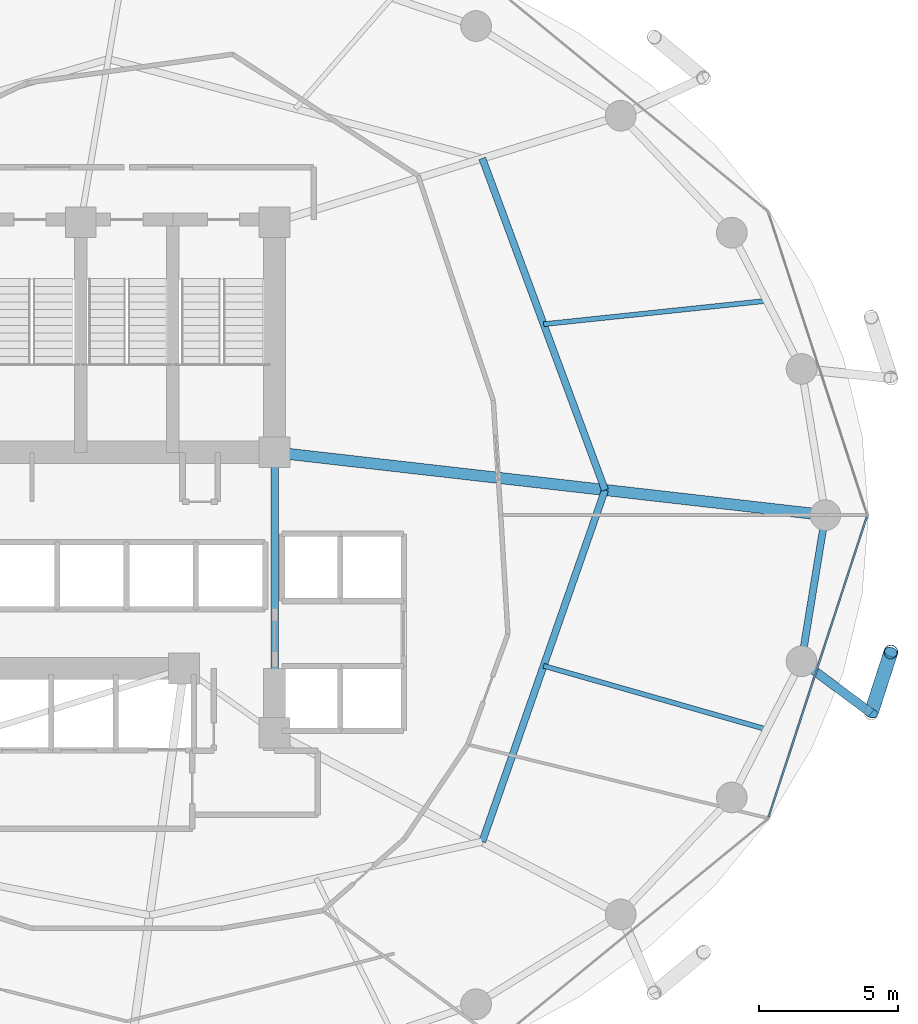
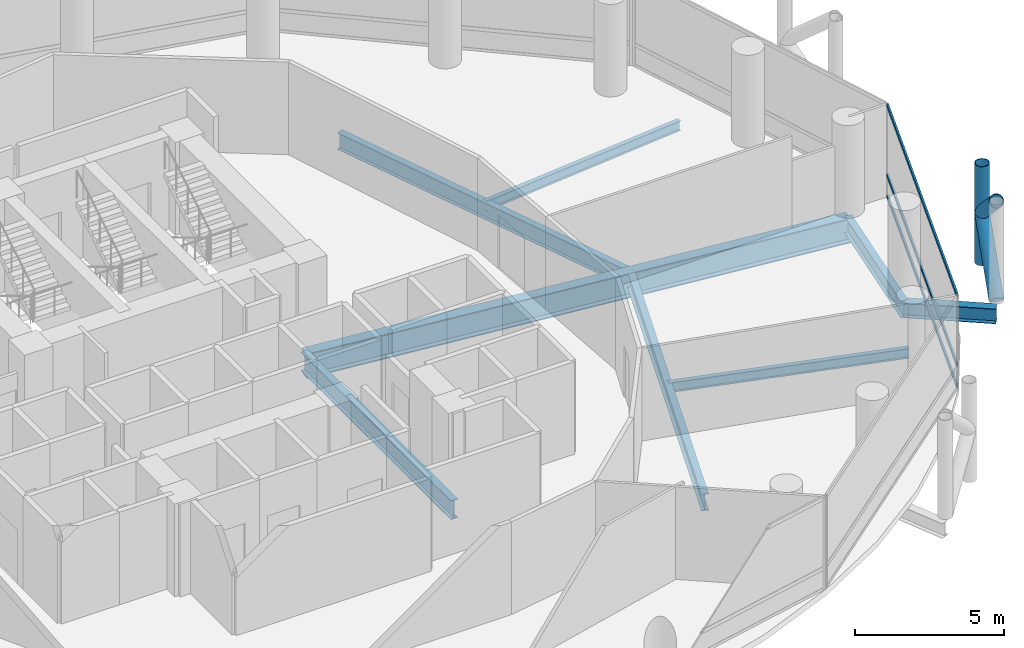
# One storey, part 11 of 24: 8 beams, 6 members, 1 element without a shape of its own.
"""IFC4 building model written with IfcOpenShell, lengths in metres."""

from ifc_helpers import new_model, si_unit, direction, frame, origin, origin_2d, place, context, subcontext, project, spatial, hollow_rectangle, hollow_circle, i_section, extrude, material, layer, layer_set, material_profile, profile_set, type_object, element, aggregate, save


model = new_model("IFC4")

# Units and contexts
model_context = context("Model", 3, precision=1e-05, world=origin(), true_north=direction((0.0, 1.0)))
body_context = subcontext(model_context, "Body", "Model", "MODEL_VIEW")
ifc_project = project(units=[si_unit("LENGTHUNIT", "METRE"), si_unit("AREAUNIT", "SQUARE_METRE"), si_unit("VOLUMEUNIT", "CUBIC_METRE"), si_unit("PLANEANGLEUNIT", "RADIAN"), si_unit("MASSUNIT", "GRAM", prefix="KILO")], contexts=[model_context])

# Site, building, storey
site_placement = place(None, origin())
site = spatial("IfcSite", under=ifc_project, at=site_placement, CompositionType="ELEMENT")
building_placement = place(site_placement, origin())
building = spatial("IfcBuilding", under=site, at=building_placement, Name="Nuhasar Tower", CompositionType="ELEMENT")
storey_placement = place(building_placement, frame((0.0, 0.0, 41.25)))
storey = spatial("IfcBuildingStorey", under=building, at=storey_placement, Name="L09", CompositionType="ELEMENT", Elevation=41.25)

# Beams
ifc_material_1 = material(Name="Steel S355", Category="steel")
ifc_material_profile_1 = material_profile(ifc_material_1, i_section(OverallWidth=0.25390625, OverallDepth=0.68408203125, WebThickness=0.012451171875, FlangeThickness=0.018798828125, at=origin_2d()), Name="W27X94")
ifc_profile_set_1 = profile_set([ifc_material_profile_1], Name="Steel S355")
beam_type_1 = type_object("IfcBeamType", Name="BM-INRING-W27X94", PredefinedType="BEAM", material=ifc_profile_set_1)
beam_1_placement = place(storey_placement, frame((51.748046875, 15.089111328125, -0.60205078125), z_axis=(0.329554049858, 0.944136710558, 0.0), x_axis=(-0.944136710558, 0.329554049858, 0.0)))
element("IfcBeam", 1, at=beam_1_placement, inside=storey, type_object=beam_type_1, Name="L09 Inner Header Beam 03", PredefinedType="BEAM", context=body_context, shape_type="SweptSolid", body=[
    extrude(i_section(OverallWidth=0.25390625, OverallDepth=0.68408203125, WebThickness=0.012451171875, FlangeThickness=0.018798828125, at=origin_2d()), origin(), (0.0, 0.0, 1.0), 13.35693359375),
])
beam_2_placement = place(storey_placement, frame((56.14990234375, 27.699951171875, -0.60205078125), z_axis=(-0.34715757476, 0.937806812881, 0.0), x_axis=(-0.937806812881, -0.34715757476, 0.0)))
element("IfcBeam", 2, at=beam_2_placement, inside=storey, type_object=beam_type_1, Name="L09 Inner Header Beam 04", PredefinedType="BEAM", context=body_context, shape_type="SweptSolid", body=[
    extrude(i_section(OverallWidth=0.25390625, OverallDepth=0.68408203125, WebThickness=0.012451171875, FlangeThickness=0.018798828125, at=origin_2d()), origin(), (0.0, 0.0, 1.0), 12.6796875),
])
ifc_material_profile_2 = material_profile(ifc_material_1, i_section(OverallWidth=0.177978515625, OverallDepth=0.406005859375, WebThickness=0.0078125, FlangeThickness=0.0126953125, at=origin_2d()), Name="W16X40")
ifc_profile_set_2 = profile_set([ifc_material_profile_2], Name="Steel S355")
beam_type_2 = type_object("IfcBeamType", Name="BM-JST-W16X40", PredefinedType="JOIST", material=ifc_profile_set_2)
beam_3_placement = place(storey_placement, frame((53.948974609375, 21.39501953125, -0.462890625), z_axis=(0.961730884496, -0.273995813484, 0.0), x_axis=(0.273995813484, 0.961730884496, 0.0)))
element("IfcBeam", 3, at=beam_3_placement, inside=storey, type_object=beam_type_2, Name="L09 Secondary Floor Joist 03", PredefinedType="JOIST", context=body_context, shape_type="SweptSolid", body=[
    extrude(i_section(OverallWidth=0.177978515625, OverallDepth=0.406005859375, WebThickness=0.0078125, FlangeThickness=0.0126953125, at=origin_2d()), origin(), (0.0, 0.0, 1.0), 8.314208984375),
])
beam_4_placement = place(storey_placement, frame((53.948974609375, 33.64501953125, -0.462890625), z_axis=(0.994554594377, 0.104216883485, 0.0), x_axis=(-0.104216883485, 0.994554594377, 0.0)))
element("IfcBeam", 4, at=beam_4_placement, inside=storey, type_object=beam_type_2, Name="L09 Secondary Floor Joist 04", PredefinedType="JOIST", context=body_context, shape_type="SweptSolid", body=[
    extrude(i_section(OverallWidth=0.177978515625, OverallDepth=0.406005859375, WebThickness=0.0078125, FlangeThickness=0.0126953125, at=origin_2d()), origin(), (0.0, 0.0, 1.0), 8.039794921875),
])
ifc_material_profile_3 = material_profile(ifc_material_1, i_section(OverallWidth=0.26611328125, OverallDepth=0.779052734375, WebThickness=0.0166015625, FlangeThickness=0.030029296875, at=origin_2d()), Name="W30X148")
ifc_profile_set_3 = profile_set([ifc_material_profile_3], Name="Steel S355")
beam_type_3 = type_object("IfcBeamType", Name="BM-RAD-W30X148", PredefinedType="BEAM", material=ifc_profile_set_3)
beam_5_placement = place(storey_placement, frame((44.300048828125, 19.0, -0.64892578125), z_axis=(0.0, 1.0, 0.0), x_axis=(-1.0, 0.0, 0.0)))
element("IfcBeam", 5, at=beam_5_placement, inside=storey, type_object=beam_type_3, Name="L09 Core Ring Girder 3", PredefinedType="BEAM", context=body_context, shape_type="SweptSolid", body=[
    extrude(i_section(OverallWidth=0.26611328125, OverallDepth=0.779052734375, WebThickness=0.0166015625, FlangeThickness=0.030029296875, at=origin_2d()), origin(), (0.0, 0.0, 1.0), 10.050048828125),
])
ifc_material_profile_4 = material_profile(ifc_material_1, i_section(OverallWidth=0.256103515625, OverallDepth=0.693115234375, WebThickness=0.014404296875, FlangeThickness=0.023681640625, at=origin_2d()), Name="W27X114")
ifc_profile_set_4 = profile_set([ifc_material_profile_4], Name="Steel S355")
beam_type_4 = type_object("IfcBeamType", Name="BM-RING-W27X114", PredefinedType="SPANDREL", material=ifc_profile_set_4)
beam_6_placement = place(storey_placement, frame((63.196044921875, 21.55908203125, -0.60595703125), z_axis=(0.160826635486, 0.986982671235, 0.0), x_axis=(-0.986982671235, 0.160826635486, 0.0)))
element("IfcBeam", 6, at=beam_6_placement, inside=storey, type_object=beam_type_4, Name="L09 Perimeter Ring Spandrel 24", PredefinedType="SPANDREL", context=body_context, shape_type="SweptSolid", body=[
    extrude(i_section(OverallWidth=0.256103515625, OverallDepth=0.693115234375, WebThickness=0.014404296875, FlangeThickness=0.023681640625, at=origin_2d()), origin(), (0.0, 0.0, 1.0), 5.31005859375),
])
ifc_material_profile_5 = material_profile(ifc_material_1, i_section(OverallWidth=0.323974609375, OverallDepth=0.611083984375, WebThickness=0.0126953125, FlangeThickness=0.01904296875, at=origin_2d()), Name="W24X104")
ifc_profile_set_5 = profile_set([ifc_material_profile_5], Name="Steel S355")
beam_type_5 = type_object("IfcBeamType", Name="BM-TIE-W24X104", PredefinedType="BEAM", material=ifc_profile_set_5)
beam_7_placement = place(storey_placement, frame((63.196044921875, 21.55908203125, -0.56591796875), z_axis=(0.802113478067, -0.597171640572, 0.0), x_axis=(0.597171640572, 0.802113478067, 0.0)))
element("IfcBeam", 7, at=beam_7_placement, inside=storey, type_object=beam_type_5, Name="L09 Exoskeleton Node Tie Beam 12", PredefinedType="BEAM", context=body_context, shape_type="SweptSolid", body=[
    extrude(i_section(OverallWidth=0.323974609375, OverallDepth=0.611083984375, WebThickness=0.0126953125, FlangeThickness=0.01904296875, at=origin_2d()), origin(), (0.0, 0.0, 1.0), 3.111572265625),
])
ifc_material_2 = material(Name="Steel S460", Category="steel")
ifc_material_profile_6 = material_profile(ifc_material_2, i_section(OverallWidth=0.40087890625, OverallDepth=1.010009765625, WebThickness=0.023681640625, FlangeThickness=0.0419921875, at=origin_2d()), Name="W40X297")
ifc_profile_set_6 = profile_set([ifc_material_profile_6], Name="Steel S460")
beam_type_6 = type_object("IfcBeamType", Name="BM-XFER-W40X297", PredefinedType="USERDEFINED", material=ifc_profile_set_6)
beam_8_placement = place(storey_placement, frame((44.300048828125, 29.050048828125, -0.764892578125), z_axis=(0.993573147212, -0.113191877531, 0.0), x_axis=(0.113191877531, 0.993573147212, 0.0)))
element("IfcBeam", 8, at=beam_8_placement, inside=storey, type_object=beam_type_6, Name="L09 Radial Floor Girder 04", ObjectType="GIRDER", PredefinedType="USERDEFINED", context=body_context, shape_type="SweptSolid", body=[
    extrude(i_section(OverallWidth=0.40087890625, OverallDepth=1.010009765625, WebThickness=0.023681640625, FlangeThickness=0.0419921875, at=origin_2d()), origin(), (0.0, 0.0, 1.0), 19.877685546875),
])

# Curtain wall, members
ifc_material_3 = material(Name="Aluminium 6063-T6", Category="aluminium")
ifc_layer = layer(ifc_material_3, 0.199951171875)
ifc_layer_set = layer_set([ifc_layer], Name="Aluminium 6063-T6")
curtain_wall_type = type_object("IfcCurtainWallType", Name="CW-Z1-OFF", PredefinedType="NOTDEFINED", material=ifc_layer_set)
curtain_wall_placement = place(storey_placement, origin())
curtain_wall = element("IfcCurtainWall", 9, at=curtain_wall_placement, inside=storey, type_object=curtain_wall_type, Name="L09 Unitised Curtain Wall 12", PredefinedType="NOTDEFINED")
ifc_material_profile_7 = material_profile(ifc_material_3, hollow_rectangle(XDim=0.06494140625, YDim=0.14990234375, WallThickness=0.00439453125, at=origin_2d()), Name="CWT-2")
ifc_profile_set_7 = profile_set([ifc_material_profile_7], Name="Aluminium 6063-T6")
member_type_1 = type_object("IfcMemberType", Name="CW-TRN-S2", PredefinedType="USERDEFINED", material=ifc_profile_set_7)
member_1_placement = place(storey_placement, frame((62.022216796875, 15.981689453125, 0.032470703125), z_axis=(0.310818687697, 0.950469222741, 0.0), x_axis=(-0.950469222741, 0.310818687697, 0.0)))
member_1 = element("IfcMember", 10, at=member_1_placement, type_object=member_type_1, Name="CW-Z1 transom 1.1", ObjectType="TRANSOM", PredefinedType="USERDEFINED", context=body_context, shape_type="SweptSolid", body=[
    extrude(hollow_rectangle(XDim=0.06494140625, YDim=0.14990234375, WallThickness=0.00439453125, at=origin_2d()), origin(), (0.0, 0.0, 1.0), 11.317138671875),
])
member_2_placement = place(storey_placement, frame((62.022216796875, 15.981689453125, 0.89990234375), z_axis=(0.310818687697, 0.950469222741, 0.0), x_axis=(-0.950469222741, 0.310818687697, 0.0)))
member_2 = element("IfcMember", 11, at=member_2_placement, type_object=member_type_1, Name="CW-Z1 transom 1.2", ObjectType="TRANSOM", PredefinedType="USERDEFINED", context=body_context, shape_type="SweptSolid", body=[
    extrude(hollow_rectangle(XDim=0.06494140625, YDim=0.14990234375, WallThickness=0.00439453125, at=origin_2d()), origin(), (0.0, 0.0, 1.0), 11.317138671875),
])
member_3_placement = place(storey_placement, frame((62.022216796875, 15.981689453125, 3.757568359375), z_axis=(0.310818687697, 0.950469222741, 0.0), x_axis=(-0.950469222741, 0.310818687697, 0.0)))
member_3 = element("IfcMember", 12, at=member_3_placement, type_object=member_type_1, Name="CW-Z1 transom 1.3", ObjectType="TRANSOM", PredefinedType="USERDEFINED", context=body_context, shape_type="SweptSolid", body=[
    extrude(hollow_rectangle(XDim=0.06494140625, YDim=0.14990234375, WallThickness=0.00439453125, at=origin_2d()), origin(), (0.0, 0.0, 1.0), 11.317138671875),
])
aggregate(curtain_wall, [member_1, member_2, member_3])

# Members
ifc_material_profile_8 = material_profile(ifc_material_2, hollow_circle(Radius=0.25390625, WallThickness=0.025390625, at=origin_2d()), Name="HSS508X25.4")
ifc_profile_set_8 = profile_set([ifc_material_profile_8], Name="Steel S460")
member_type_2 = type_object("IfcMemberType", Name="EXO-BRONZE-508", PredefinedType="BRACE", material=ifc_profile_set_8)
member_4_placement = place(storey_placement, frame((66.39990234375, 21.889892578125, 0.0), z_axis=(0.0, 0.0, 1.0), x_axis=(1.0, 0.0, 0.0)))
element("IfcMember", 13, at=member_4_placement, inside=storey, type_object=member_type_2, Name="L09 Exoskeleton Chord Column EC-12B", PredefinedType="BRACE", context=body_context, shape_type="SweptSolid", body=[
    extrude(hollow_circle(Radius=0.25390625, WallThickness=0.025390625, at=origin_2d()), origin(), (0.0, 0.0, 1.0), 4.050048828125),
])
member_5_placement = place(storey_placement, frame((65.69189453125, 19.700927734375, 0.0), z_axis=(0.231011836313, 0.714224870475, 0.660693851854), x_axis=(-0.951468282519, 0.307746823478, 0.0)))
element("IfcMember", 14, at=member_5_placement, inside=storey, type_object=member_type_2, Name="L09 Bronze Diagrid Brace W1-12", PredefinedType="BRACE", context=body_context, shape_type="SweptSolid", body=[
    extrude(hollow_circle(Radius=0.25390625, WallThickness=0.025390625, at=origin_2d()), origin(), (0.0, 0.0, 1.0), 3.064697265625),
])
member_6_placement = place(storey_placement, frame((66.39990234375, 21.889892578125, 2.02490234375), z_axis=(-0.230999678299, -0.714187281251, 0.660738734997), x_axis=(0.951468282519, -0.307746823478, 0.0)))
element("IfcMember", 15, at=member_6_placement, inside=storey, type_object=member_type_2, Name="L09 Bronze Diagrid Brace W2-12", PredefinedType="BRACE", context=body_context, shape_type="SweptSolid", body=[
    extrude(hollow_circle(Radius=0.25390625, WallThickness=0.025390625, at=origin_2d()), origin(), (0.0, 0.0, 1.0), 3.06494140625),
])

save(model, "model.ifc")
